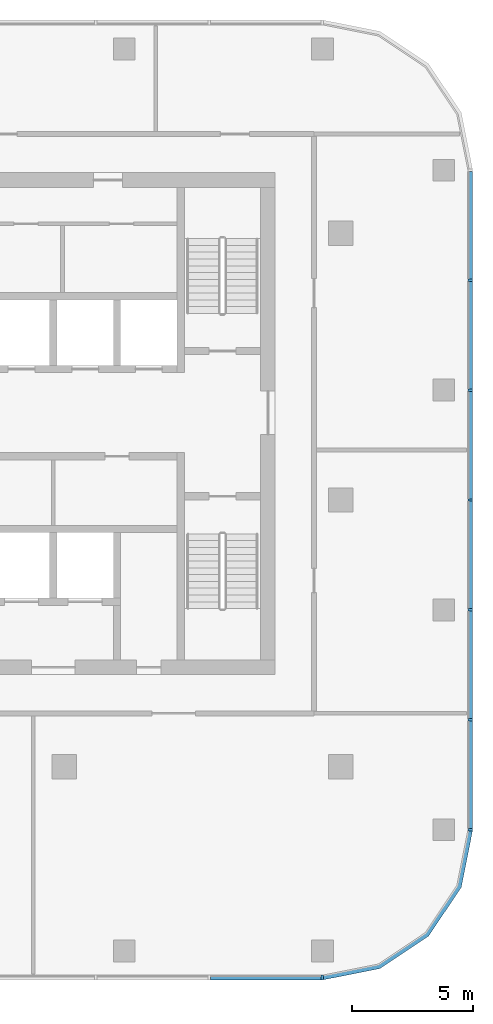
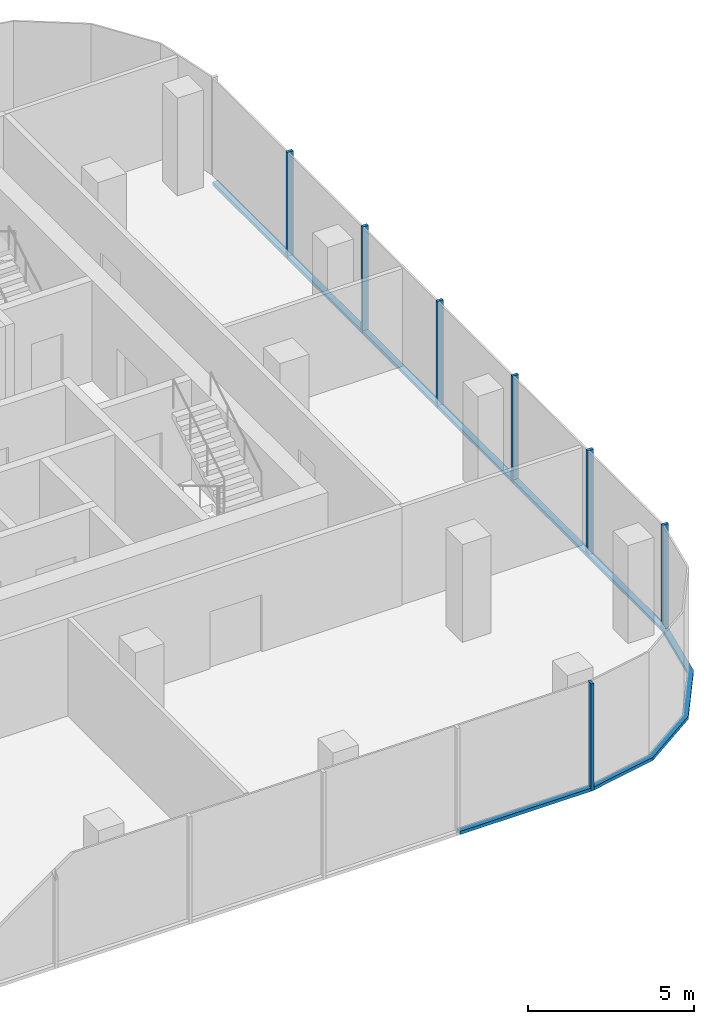
# One storey, part 3 of 9: 15 members, 3 elements without a shape of their own.
"""IFC4 building model written with IfcOpenShell, lengths in metres."""

import ifcopenshell
import ifcopenshell.guid

model = None  # the IFC model being written
_history = None  # IfcOwnerHistory: only IFC2X3 demands one
_inside = {}  # id of a spatial element -> (the spatial element, [elements in it])
_under = {}  # id of a project, library or spatial element -> (it, [spatial elements below it])
_declared = {}  # id of a project -> (the project, [libraries it declares])
_typed = {}  # id of a type object -> (the type object, [elements of that type])
_made_of = {}  # id of a material, layer set ... -> (it, [elements and type objects made of it])


def new_model(schema):
    """Start an empty IFC model of exactly this schema.

    Asked for "IFC4X3", IfcOpenShell would pick the latest addendum, in which some entities
    have other attributes; the version numbers below select the first issue.
    IFC2X3 requires an IfcOwnerHistory on every rooted entity: one is made here for all.
    """
    global model, _history
    if schema == "IFC4X3":
        model = ifcopenshell.file(schema_version=(4, 3, 0, 0))
    else:
        model = ifcopenshell.file(schema=schema)
    _inside.clear()
    _under.clear()
    _declared.clear()
    _typed.clear()
    _made_of.clear()
    _history = None
    if model.schema == "IFC2X3":
        org = make("IfcOrganization", Name="unknown")
        user = make(
            "IfcPersonAndOrganization",
            ThePerson=make("IfcPerson", FamilyName="unknown"),
            TheOrganization=org,
        )
        app = make(
            "IfcApplication",
            ApplicationDeveloper=org,
            Version="unknown",
            ApplicationFullName="unknown",
            ApplicationIdentifier="unknown",
        )
        _history = make(
            "IfcOwnerHistory",
            OwningUser=user,
            OwningApplication=app,
            ChangeAction="ADDED",
            CreationDate=0,
        )
    return model


def make(cls, **values):
    """One entity of the class cls with the attributes given. An attribute that is None is left unset."""
    return model.create_entity(
        cls, **{name: value for name, value in values.items() if value is not None}
    )


def rooted(cls, **values):
    """An entity with a GlobalId (a new one), such as an element, a storey or a relation."""
    return make(cls, GlobalId=ifcopenshell.guid.new(), OwnerHistory=_history, **values)


def si_unit(unit_type, name, prefix=None):
    """IfcSIUnit, for example si_unit("LENGTHUNIT", "METRE", prefix="MILLI")."""
    return make("IfcSIUnit", UnitType=unit_type, Prefix=prefix, Name=name)


def assignment(units):
    """IfcUnitAssignment: the units of a project."""
    return None if units is None else make("IfcUnitAssignment", Units=units)


def point(xyz):
    """IfcCartesianPoint."""
    return None if xyz is None else make("IfcCartesianPoint", Coordinates=xyz)


def direction(xyz):
    """IfcDirection."""
    return None if xyz is None else make("IfcDirection", DirectionRatios=xyz)


def frame(location, z_axis=None, x_axis=None):
    """IfcAxis2Placement3D, a coordinate frame: its origin and axes. An axis left out is left unset."""
    return make(
        "IfcAxis2Placement3D",
        Location=point(location),
        Axis=direction(z_axis),
        RefDirection=direction(x_axis),
    )


def frame_2d(location, x_axis=None):
    """IfcAxis2Placement2D, a coordinate frame in the plane: its origin and x axis."""
    return make(
        "IfcAxis2Placement2D", Location=point(location), RefDirection=direction(x_axis)
    )


def origin():
    """The frame at (0, 0, 0) with its axes left unset."""
    return frame((0.0, 0.0, 0.0))


def origin_2d():
    """The frame at (0, 0) in the plane with its x axis left unset."""
    return frame_2d((0.0, 0.0))


def place(relative_to, where):
    """IfcLocalPlacement: puts the frame where relative to a parent placement (None: the world)."""
    return make(
        "IfcLocalPlacement", PlacementRelTo=relative_to, RelativePlacement=where
    )


def context(
    kind, dimensions, precision=None, world=None, true_north=None, identifier=None
):
    """IfcGeometricRepresentationContext, for example the 3D "Model" context."""
    return make(
        "IfcGeometricRepresentationContext",
        ContextIdentifier=identifier,
        ContextType=kind,
        CoordinateSpaceDimension=dimensions,
        Precision=precision,
        WorldCoordinateSystem=world,
        TrueNorth=true_north,
    )


def subcontext(parent, identifier, kind, view, scale=None):
    """IfcGeometricRepresentationSubContext, for example "Body" below "Model"."""
    return make(
        "IfcGeometricRepresentationSubContext",
        ContextIdentifier=identifier,
        ContextType=kind,
        ParentContext=parent,
        TargetScale=scale,
        TargetView=view,
    )


def project(units=None, contexts=None):
    """IfcProject with its units and contexts."""
    return rooted(
        "IfcProject",
        Name="project",
        RepresentationContexts=contexts,
        UnitsInContext=assignment(units),
    )


def spatial(cls, under=None, at=None, **own):
    """A site, building, storey or space (cls), placed at a placement, below another one or the project."""
    s = rooted(cls, ObjectPlacement=at, **own)
    if under is not None:
        _under.setdefault(under.id(), (under, []))[1].append(s)
    return s


def polyline(points):
    """IfcPolyline through the points."""
    return make("IfcPolyline", Points=[point(p) for p in points])


def profile(cls, at=None, kind="AREA", **sizes):
    """A parametric profile (cls). Its sizes go by their IFC names, for example OverallWidth=200.0."""
    return make(cls, ProfileType=kind, Position=at, **sizes)


def rectangle(**sizes):
    """IfcRectangleProfileDef."""
    return profile("IfcRectangleProfileDef", **sizes)


def outline(outer, holes=None, kind="AREA"):
    """IfcArbitraryClosedProfileDef: a profile drawn as a closed curve; with holes, ...WithVoids."""
    if holes is None:
        return make("IfcArbitraryClosedProfileDef", ProfileType=kind, OuterCurve=outer)
    return make(
        "IfcArbitraryProfileDefWithVoids",
        ProfileType=kind,
        OuterCurve=outer,
        InnerCurves=holes,
    )


def extrude(swept, where, along, depth):
    """IfcExtrudedAreaSolid: the profile swept, set in the frame where, extruded along a direction by depth."""
    return make(
        "IfcExtrudedAreaSolid",
        SweptArea=swept,
        Position=where,
        ExtrudedDirection=direction(along),
        Depth=depth,
    )


def shape(context_of_items, identifier, shape_type, items):
    """IfcShapeRepresentation: the items that make up one representation, for example the "Body"."""
    return make(
        "IfcShapeRepresentation",
        ContextOfItems=context_of_items,
        RepresentationIdentifier=identifier,
        RepresentationType=shape_type,
        Items=items,
    )


def material(Name=None, Category=None):
    """IfcMaterial."""
    return make("IfcMaterial", Name=Name, Category=Category)


def material_profile(
    of_material, cross_section, Name=None, Category=None, Priority=None
):
    """IfcMaterialProfile: a cross section and its material."""
    return make(
        "IfcMaterialProfile",
        Name=Name,
        Material=of_material,
        Profile=cross_section,
        Priority=Priority,
        Category=Category,
    )


def profile_set(profiles, Name=None, composite=None):
    """IfcMaterialProfileSet."""
    return make(
        "IfcMaterialProfileSet",
        Name=Name,
        MaterialProfiles=profiles,
        CompositeProfile=composite,
    )


def made_of(thing, what):
    """Note that an element or type object is made of a material, layer set ...; save() writes the relation."""
    if what is not None:
        _made_of.setdefault(what.id(), (what, []))[1].append(thing)
    return thing


def type_object(cls, material=None, **own):
    """A type object (cls), such as IfcWallType, which elements share."""
    return made_of(rooted(cls, **own), material)


def element(
    cls,
    number,
    at=None,
    inside=None,
    cuts=None,
    type_object=None,
    material=None,
    context=None,
    identifier="Body",
    shape_type=None,
    held_by="IfcProductDefinitionShape",
    body=None,
    shapes=None,
    **own,
):
    """One element of the class cls, such as IfcWall. Its Tag is "e" and its number.

    at: its placement. inside: the storey or other place that contains it. cuts: it is an
    opening in that element (IfcRelVoidsElement). A single representation is given by context,
    identifier, shape_type and body (its items); several are given by shapes. held_by: the class
    of the entity that holds the representations. save() writes the other relations.
    """
    e = rooted(cls, Tag="e%d" % number, ObjectPlacement=at, **own)
    if body is not None:
        shapes = [shape(context, identifier, shape_type, body)]
    if shapes is not None:
        e.Representation = make(held_by, Representations=shapes)
    if inside is not None:
        _inside.setdefault(inside.id(), (inside, []))[1].append(e)
    if cuts is not None:
        rooted(
            "IfcRelVoidsElement", RelatingBuildingElement=cuts, RelatedOpeningElement=e
        )
    if type_object is not None:
        _typed.setdefault(type_object.id(), (type_object, []))[1].append(e)
    return made_of(e, material)


def aggregate(whole, parts):
    """IfcRelAggregates: a whole, such as a stair, and the parts it consists of."""
    return rooted("IfcRelAggregates", RelatingObject=whole, RelatedObjects=parts)


def save(model, path):
    """Write the relations noted so far, then the file.

    IfcRelAggregates (storeys below a building ...), IfcRelContainedInSpatialStructure (elements
    in a storey), IfcRelDefinesByType, IfcRelAssociatesMaterial and IfcRelDeclares: one each for
    every whole, place, type object, material and project.
    """
    for whole, parts in _under.values():
        aggregate(whole, parts)
    for where, things in _inside.values():
        rooted(
            "IfcRelContainedInSpatialStructure",
            RelatedElements=things,
            RelatingStructure=where,
        )
    for kind, things in _typed.values():
        rooted("IfcRelDefinesByType", RelatedObjects=things, RelatingType=kind)
    for what, things in _made_of.values():
        rooted("IfcRelAssociatesMaterial", RelatedObjects=things, RelatingMaterial=what)
    for by, libraries in _declared.values():
        rooted("IfcRelDeclares", RelatingContext=by, RelatedDefinitions=libraries)
    model.write(path)


model = new_model("IFC4")

# Units and contexts
model_context = context("Model", 3, precision=1e-05, world=origin(), true_north=direction((0.0, 1.0)))
body_context = subcontext(model_context, "Body", "Model", "MODEL_VIEW")
ifc_project = project(units=[si_unit("LENGTHUNIT", "METRE"), si_unit("AREAUNIT", "SQUARE_METRE"), si_unit("VOLUMEUNIT", "CUBIC_METRE"), si_unit("PLANEANGLEUNIT", "RADIAN"), si_unit("MASSUNIT", "GRAM", prefix="KILO")], contexts=[model_context])

# Site, building, storey
site_placement = place(None, origin())
site = spatial("IfcSite", under=ifc_project, at=site_placement, CompositionType="ELEMENT")
building_placement = place(site_placement, origin())
building = spatial("IfcBuilding", under=site, at=building_placement, Name="Mopane Tessera Tower", CompositionType="ELEMENT")
storey_placement = place(building_placement, frame((0.0, 0.0, 353.39990234375)))
storey = spatial("IfcBuildingStorey", under=building, at=storey_placement, Name="L77", CompositionType="ELEMENT", Elevation=353.39990234375)

# Curtain wall, member
ifc_material_1 = material(Name="Aluminium frame", Category="aluminium")
curtain_wall_type = type_object("IfcCurtainWallType", Name="Unitised curtain wall", PredefinedType="NOTDEFINED", material=ifc_material_1)
curtain_wall_1_placement = place(storey_placement, origin())
curtain_wall_1 = element("IfcCurtainWall", 1, at=curtain_wall_1_placement, inside=storey, type_object=curtain_wall_type, Name="e:cw:L77:S:0", PredefinedType="NOTDEFINED")
ifc_material_2 = material(Name="Aluminium frame", Category="aluminium")
ifc_material_profile_1 = material_profile(ifc_material_2, rectangle(XDim=0.10009765625, YDim=0.199951171875, at=origin_2d()))
ifc_profile_set_1 = profile_set([ifc_material_profile_1], Name="Aluminium frame")
member_type_1 = type_object("IfcMemberType", Name="Aluminium mullion 100 x 200", PredefinedType="MULLION", material=ifc_profile_set_1)
member_1_placement = place(storey_placement, frame((16.35009765625, -19.699951171875, -0.349853515625), z_axis=(0.0, 0.0, 1.0), x_axis=(1.0, 0.0, 0.0)))
member_1 = element("IfcMember", 2, at=member_1_placement, type_object=member_type_1, Name="e:cw:L77:S:0:mu7", PredefinedType="MULLION", context=body_context, shape_type="SweptSolid", body=[
    extrude(rectangle(XDim=0.10009765625, YDim=0.199951171875, at=origin_2d()), origin(), (0.0, 0.0, 1.0), 3.949951171875),
])

# Curtain wall, members
curtain_wall_2_placement = place(storey_placement, origin())
curtain_wall_2 = element("IfcCurtainWall", 3, at=curtain_wall_2_placement, inside=storey, type_object=curtain_wall_type, Name="e:cw:L77:E:0", PredefinedType="NOTDEFINED")
member_2_placement = place(storey_placement, frame((22.449951171875, -13.60009765625, -0.349853515625), z_axis=(0.0, 0.0, 1.0), x_axis=(0.0, 1.0, 0.0)))
member_2 = element("IfcMember", 4, at=member_2_placement, type_object=member_type_1, Name="e:cw:L77:E:0:mu0", PredefinedType="MULLION", context=body_context, shape_type="SweptSolid", body=[
    extrude(rectangle(XDim=0.10009765625, YDim=0.199951171875, at=origin_2d()), origin(), (0.0, 0.0, 1.0), 3.949951171875),
])
member_3_placement = place(storey_placement, frame((22.449951171875, -9.066650390625, -0.349853515625), z_axis=(0.0, 0.0, 1.0), x_axis=(0.0, 1.0, 0.0)))
member_3 = element("IfcMember", 5, at=member_3_placement, type_object=member_type_1, Name="e:cw:L77:E:0:mu1", PredefinedType="MULLION", context=body_context, shape_type="SweptSolid", body=[
    extrude(rectangle(XDim=0.10009765625, YDim=0.199951171875, at=origin_2d()), origin(), (0.0, 0.0, 1.0), 3.949951171875),
])
member_4_placement = place(storey_placement, frame((22.449951171875, -4.533447265625, -0.349853515625), z_axis=(0.0, 0.0, 1.0), x_axis=(0.0, 1.0, 0.0)))
member_4 = element("IfcMember", 6, at=member_4_placement, type_object=member_type_1, Name="e:cw:L77:E:0:mu2", PredefinedType="MULLION", context=body_context, shape_type="SweptSolid", body=[
    extrude(rectangle(XDim=0.10009765625, YDim=0.199951171875, at=origin_2d()), origin(), (0.0, 0.0, 1.0), 3.949951171875),
])
member_5_placement = place(storey_placement, frame((22.449951171875, 0.0, -0.349853515625), z_axis=(0.0, 0.0, 1.0), x_axis=(0.0, 1.0, 0.0)))
member_5 = element("IfcMember", 7, at=member_5_placement, type_object=member_type_1, Name="e:cw:L77:E:0:mu3", PredefinedType="MULLION", context=body_context, shape_type="SweptSolid", body=[
    extrude(rectangle(XDim=0.10009765625, YDim=0.199951171875, at=origin_2d()), origin(), (0.0, 0.0, 1.0), 3.949951171875),
])
member_6_placement = place(storey_placement, frame((22.449951171875, 4.533447265625, -0.349853515625), z_axis=(0.0, 0.0, 1.0), x_axis=(0.0, 1.0, 0.0)))
member_6 = element("IfcMember", 8, at=member_6_placement, type_object=member_type_1, Name="e:cw:L77:E:0:mu4", PredefinedType="MULLION", context=body_context, shape_type="SweptSolid", body=[
    extrude(rectangle(XDim=0.10009765625, YDim=0.199951171875, at=origin_2d()), origin(), (0.0, 0.0, 1.0), 3.949951171875),
])
member_7_placement = place(storey_placement, frame((22.449951171875, 9.066650390625, -0.349853515625), z_axis=(0.0, 0.0, 1.0), x_axis=(0.0, 1.0, 0.0)))
member_7 = element("IfcMember", 9, at=member_7_placement, type_object=member_type_1, Name="e:cw:L77:E:0:mu5", PredefinedType="MULLION", context=body_context, shape_type="SweptSolid", body=[
    extrude(rectangle(XDim=0.10009765625, YDim=0.199951171875, at=origin_2d()), origin(), (0.0, 0.0, 1.0), 3.949951171875),
])

# Member
ifc_material_3 = material(Name="Aluminium frame", Category="aluminium")
ifc_material_profile_2 = material_profile(ifc_material_3, rectangle(XDim=0.199951171875, YDim=0.1201171875, at=origin_2d()))
ifc_profile_set_2 = profile_set([ifc_material_profile_2], Name="Aluminium frame")
member_type_2 = type_object("IfcMemberType", Name="Aluminium transom 200 x 120", PredefinedType="USERDEFINED", material=ifc_profile_set_2)
member_8_placement = place(storey_placement, frame((11.728515625, -19.699951171875, -0.289794921875), z_axis=(1.0, 0.0, 0.0), x_axis=(0.0, 1.0, 0.0)))
member_8 = element("IfcMember", 10, at=member_8_placement, type_object=member_type_2, Name="e:cw:L77:S:0:tr6", ObjectType="TRANSOM", PredefinedType="USERDEFINED", context=body_context, shape_type="SweptSolid", body=[
    extrude(rectangle(XDim=0.199951171875, YDim=0.1201171875, at=origin_2d()), origin(), (0.0, 0.0, 1.0), 4.571533203125),
])

aggregate(curtain_wall_1, [member_1, member_8])

# Curtain wall, member
curtain_wall_3_placement = place(storey_placement, origin())
curtain_wall_3 = element("IfcCurtainWall", 11, at=curtain_wall_3_placement, inside=storey, type_object=curtain_wall_type, Name="e:cw:L77:CS", PredefinedType="NOTDEFINED")
member_9_placement = place(storey_placement, frame((0.0, 0.0, -0.349853515625)))
member_9 = element("IfcMember", 12, at=member_9_placement, type_object=member_type_2, Name="e:cw:L77:CS:tr", ObjectType="TRANSOM", PredefinedType="USERDEFINED", context=body_context, shape_type="SweptSolid", body=[
    extrude(outline(polyline([(16.35009765625, -19.60009765625), (18.64599609375, -19.143310546875), (20.592529296875, -17.842529296875), (21.893310546875, -15.89599609375), (22.35009765625, -13.60009765625), (22.550048828125, -13.60009765625), (22.078125, -15.97265625), (20.734130859375, -17.984130859375), (18.72265625, -19.328125), (16.35009765625, -19.800048828125), (16.35009765625, -19.60009765625)])), origin(), (0.0, 0.0, 1.0), 0.119873046875),
])
aggregate(curtain_wall_3, [member_9])

# Member
member_10_placement = place(storey_placement, frame((22.449951171875, -13.550048828125, -0.289794921875), z_axis=(0.0, 1.0, 0.0), x_axis=(-1.0, 0.0, 0.0)))
member_10 = element("IfcMember", 13, at=member_10_placement, type_object=member_type_2, Name="e:cw:L77:E:0:tr0", ObjectType="TRANSOM", PredefinedType="USERDEFINED", context=body_context, shape_type="SweptSolid", body=[
    extrude(rectangle(XDim=0.199951171875, YDim=0.1201171875, at=origin_2d()), origin(), (0.0, 0.0, 1.0), 4.433349609375),
])

member_11_placement = place(storey_placement, frame((22.449951171875, -9.0166015625, -0.289794921875), z_axis=(0.0, 1.0, 0.0), x_axis=(-1.0, 0.0, 0.0)))
member_11 = element("IfcMember", 14, at=member_11_placement, type_object=member_type_2, Name="e:cw:L77:E:0:tr1", ObjectType="TRANSOM", PredefinedType="USERDEFINED", context=body_context, shape_type="SweptSolid", body=[
    extrude(rectangle(XDim=0.199951171875, YDim=0.1201171875, at=origin_2d()), origin(), (0.0, 0.0, 1.0), 4.433349609375),
])

member_12_placement = place(storey_placement, frame((22.449951171875, -4.4833984375, -0.289794921875), z_axis=(0.0, 1.0, 0.0), x_axis=(-1.0, 0.0, 0.0)))
member_12 = element("IfcMember", 15, at=member_12_placement, type_object=member_type_2, Name="e:cw:L77:E:0:tr2", ObjectType="TRANSOM", PredefinedType="USERDEFINED", context=body_context, shape_type="SweptSolid", body=[
    extrude(rectangle(XDim=0.199951171875, YDim=0.1201171875, at=origin_2d()), origin(), (0.0, 0.0, 1.0), 4.433349609375),
])

member_13_placement = place(storey_placement, frame((22.449951171875, 0.050048828125, -0.289794921875), z_axis=(0.0, 1.0, 0.0), x_axis=(-1.0, 0.0, 0.0)))
member_13 = element("IfcMember", 16, at=member_13_placement, type_object=member_type_2, Name="e:cw:L77:E:0:tr3", ObjectType="TRANSOM", PredefinedType="USERDEFINED", context=body_context, shape_type="SweptSolid", body=[
    extrude(rectangle(XDim=0.199951171875, YDim=0.1201171875, at=origin_2d()), origin(), (0.0, 0.0, 1.0), 4.433349609375),
])

member_14_placement = place(storey_placement, frame((22.449951171875, 4.583251953125, -0.289794921875), z_axis=(0.0, 1.0, 0.0), x_axis=(-1.0, 0.0, 0.0)))
member_14 = element("IfcMember", 17, at=member_14_placement, type_object=member_type_2, Name="e:cw:L77:E:0:tr4", ObjectType="TRANSOM", PredefinedType="USERDEFINED", context=body_context, shape_type="SweptSolid", body=[
    extrude(rectangle(XDim=0.199951171875, YDim=0.1201171875, at=origin_2d()), origin(), (0.0, 0.0, 1.0), 4.433349609375),
])

member_15_placement = place(storey_placement, frame((22.449951171875, 9.11669921875, -0.289794921875), z_axis=(0.0, 1.0, 0.0), x_axis=(-1.0, 0.0, 0.0)))
member_15 = element("IfcMember", 18, at=member_15_placement, type_object=member_type_2, Name="e:cw:L77:E:0:tr5", ObjectType="TRANSOM", PredefinedType="USERDEFINED", context=body_context, shape_type="SweptSolid", body=[
    extrude(rectangle(XDim=0.199951171875, YDim=0.1201171875, at=origin_2d()), origin(), (0.0, 0.0, 1.0), 4.433349609375),
])

aggregate(curtain_wall_2, [member_2, member_3, member_4, member_5, member_6, member_7, member_10, member_11, member_12, member_13, member_14, member_15])

save(model, "model.ifc")
